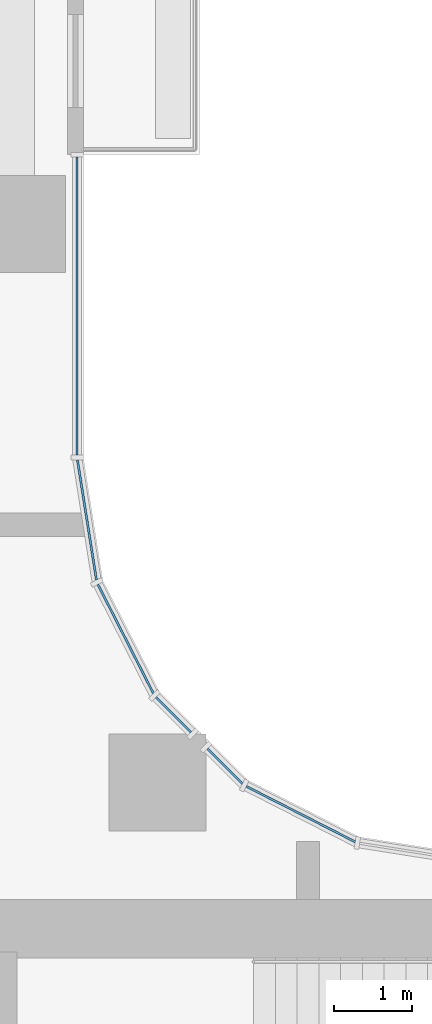
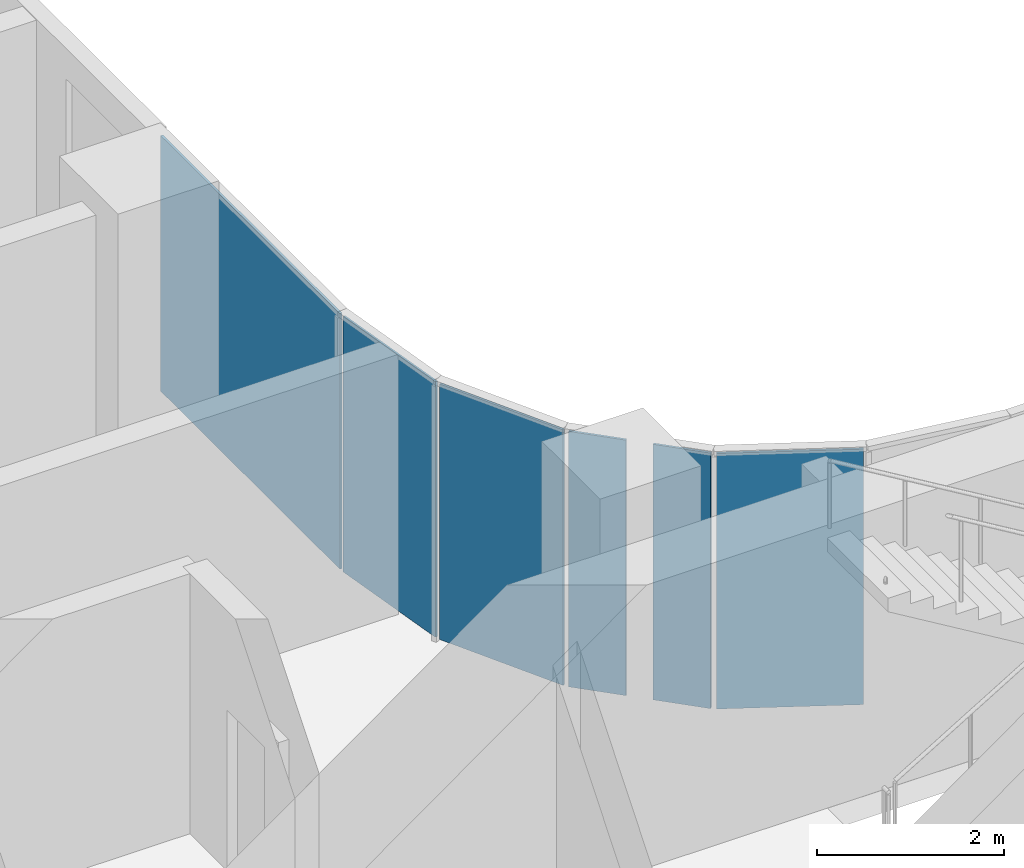
# One storey, part 12 of 35: 6 plates, 3 elements without a shape of their own.
"""IFC4 building model written with IfcOpenShell, lengths in metres."""

import ifcopenshell
import ifcopenshell.guid

model = None  # the IFC model being written
_history = None  # IfcOwnerHistory: only IFC2X3 demands one
_inside = {}  # id of a spatial element -> (the spatial element, [elements in it])
_under = {}  # id of a project, library or spatial element -> (it, [spatial elements below it])
_declared = {}  # id of a project -> (the project, [libraries it declares])
_typed = {}  # id of a type object -> (the type object, [elements of that type])
_made_of = {}  # id of a material, layer set ... -> (it, [elements and type objects made of it])


def new_model(schema):
    """Start an empty IFC model of exactly this schema.

    Asked for "IFC4X3", IfcOpenShell would pick the latest addendum, in which some entities
    have other attributes; the version numbers below select the first issue.
    IFC2X3 requires an IfcOwnerHistory on every rooted entity: one is made here for all.
    """
    global model, _history
    if schema == "IFC4X3":
        model = ifcopenshell.file(schema_version=(4, 3, 0, 0))
    else:
        model = ifcopenshell.file(schema=schema)
    _inside.clear()
    _under.clear()
    _declared.clear()
    _typed.clear()
    _made_of.clear()
    _history = None
    if model.schema == "IFC2X3":
        org = make("IfcOrganization", Name="unknown")
        user = make(
            "IfcPersonAndOrganization",
            ThePerson=make("IfcPerson", FamilyName="unknown"),
            TheOrganization=org,
        )
        app = make(
            "IfcApplication",
            ApplicationDeveloper=org,
            Version="unknown",
            ApplicationFullName="unknown",
            ApplicationIdentifier="unknown",
        )
        _history = make(
            "IfcOwnerHistory",
            OwningUser=user,
            OwningApplication=app,
            ChangeAction="ADDED",
            CreationDate=0,
        )
    return model


def make(cls, **values):
    """One entity of the class cls with the attributes given. An attribute that is None is left unset."""
    return model.create_entity(
        cls, **{name: value for name, value in values.items() if value is not None}
    )


def rooted(cls, **values):
    """An entity with a GlobalId (a new one), such as an element, a storey or a relation."""
    return make(cls, GlobalId=ifcopenshell.guid.new(), OwnerHistory=_history, **values)


def si_unit(unit_type, name, prefix=None):
    """IfcSIUnit, for example si_unit("LENGTHUNIT", "METRE", prefix="MILLI")."""
    return make("IfcSIUnit", UnitType=unit_type, Prefix=prefix, Name=name)


def assignment(units):
    """IfcUnitAssignment: the units of a project."""
    return None if units is None else make("IfcUnitAssignment", Units=units)


def point(xyz):
    """IfcCartesianPoint."""
    return None if xyz is None else make("IfcCartesianPoint", Coordinates=xyz)


def direction(xyz):
    """IfcDirection."""
    return None if xyz is None else make("IfcDirection", DirectionRatios=xyz)


def frame(location, z_axis=None, x_axis=None):
    """IfcAxis2Placement3D, a coordinate frame: its origin and axes. An axis left out is left unset."""
    return make(
        "IfcAxis2Placement3D",
        Location=point(location),
        Axis=direction(z_axis),
        RefDirection=direction(x_axis),
    )


def frame_2d(location, x_axis=None):
    """IfcAxis2Placement2D, a coordinate frame in the plane: its origin and x axis."""
    return make(
        "IfcAxis2Placement2D", Location=point(location), RefDirection=direction(x_axis)
    )


def origin():
    """The frame at (0, 0, 0) with its axes left unset."""
    return frame((0.0, 0.0, 0.0))


def origin_2d():
    """The frame at (0, 0) in the plane with its x axis left unset."""
    return frame_2d((0.0, 0.0))


def place(relative_to, where):
    """IfcLocalPlacement: puts the frame where relative to a parent placement (None: the world)."""
    return make(
        "IfcLocalPlacement", PlacementRelTo=relative_to, RelativePlacement=where
    )


def context(
    kind, dimensions, precision=None, world=None, true_north=None, identifier=None
):
    """IfcGeometricRepresentationContext, for example the 3D "Model" context."""
    return make(
        "IfcGeometricRepresentationContext",
        ContextIdentifier=identifier,
        ContextType=kind,
        CoordinateSpaceDimension=dimensions,
        Precision=precision,
        WorldCoordinateSystem=world,
        TrueNorth=true_north,
    )


def subcontext(parent, identifier, kind, view, scale=None):
    """IfcGeometricRepresentationSubContext, for example "Body" below "Model"."""
    return make(
        "IfcGeometricRepresentationSubContext",
        ContextIdentifier=identifier,
        ContextType=kind,
        ParentContext=parent,
        TargetScale=scale,
        TargetView=view,
    )


def project(units=None, contexts=None):
    """IfcProject with its units and contexts."""
    return rooted(
        "IfcProject",
        Name="project",
        RepresentationContexts=contexts,
        UnitsInContext=assignment(units),
    )


def spatial(cls, under=None, at=None, **own):
    """A site, building, storey or space (cls), placed at a placement, below another one or the project."""
    s = rooted(cls, ObjectPlacement=at, **own)
    if under is not None:
        _under.setdefault(under.id(), (under, []))[1].append(s)
    return s


def profile(cls, at=None, kind="AREA", **sizes):
    """A parametric profile (cls). Its sizes go by their IFC names, for example OverallWidth=200.0."""
    return make(cls, ProfileType=kind, Position=at, **sizes)


def rectangle(**sizes):
    """IfcRectangleProfileDef."""
    return profile("IfcRectangleProfileDef", **sizes)


def extrude(swept, where, along, depth):
    """IfcExtrudedAreaSolid: the profile swept, set in the frame where, extruded along a direction by depth."""
    return make(
        "IfcExtrudedAreaSolid",
        SweptArea=swept,
        Position=where,
        ExtrudedDirection=direction(along),
        Depth=depth,
    )


def shape(context_of_items, identifier, shape_type, items):
    """IfcShapeRepresentation: the items that make up one representation, for example the "Body"."""
    return make(
        "IfcShapeRepresentation",
        ContextOfItems=context_of_items,
        RepresentationIdentifier=identifier,
        RepresentationType=shape_type,
        Items=items,
    )


def material(Name=None, Category=None):
    """IfcMaterial."""
    return make("IfcMaterial", Name=Name, Category=Category)


def layer(
    of_material, thickness, ventilated=None, Name=None, Category=None, Priority=None
):
    """IfcMaterialLayer: one layer of a wall or slab, of a material (None: an air gap)."""
    return make(
        "IfcMaterialLayer",
        Material=of_material,
        LayerThickness=thickness,
        IsVentilated=ventilated,
        Name=Name,
        Category=Category,
        Priority=Priority,
    )


def layer_set(layers, Name=None):
    """IfcMaterialLayerSet."""
    return make("IfcMaterialLayerSet", MaterialLayers=layers, LayerSetName=Name)


def made_of(thing, what):
    """Note that an element or type object is made of a material, layer set ...; save() writes the relation."""
    if what is not None:
        _made_of.setdefault(what.id(), (what, []))[1].append(thing)
    return thing


def type_object(cls, material=None, **own):
    """A type object (cls), such as IfcWallType, which elements share."""
    return made_of(rooted(cls, **own), material)


def element(
    cls,
    number,
    at=None,
    inside=None,
    cuts=None,
    type_object=None,
    material=None,
    context=None,
    identifier="Body",
    shape_type=None,
    held_by="IfcProductDefinitionShape",
    body=None,
    shapes=None,
    **own,
):
    """One element of the class cls, such as IfcWall. Its Tag is "e" and its number.

    at: its placement. inside: the storey or other place that contains it. cuts: it is an
    opening in that element (IfcRelVoidsElement). A single representation is given by context,
    identifier, shape_type and body (its items); several are given by shapes. held_by: the class
    of the entity that holds the representations. save() writes the other relations.
    """
    e = rooted(cls, Tag="e%d" % number, ObjectPlacement=at, **own)
    if body is not None:
        shapes = [shape(context, identifier, shape_type, body)]
    if shapes is not None:
        e.Representation = make(held_by, Representations=shapes)
    if inside is not None:
        _inside.setdefault(inside.id(), (inside, []))[1].append(e)
    if cuts is not None:
        rooted(
            "IfcRelVoidsElement", RelatingBuildingElement=cuts, RelatedOpeningElement=e
        )
    if type_object is not None:
        _typed.setdefault(type_object.id(), (type_object, []))[1].append(e)
    return made_of(e, material)


def aggregate(whole, parts):
    """IfcRelAggregates: a whole, such as a stair, and the parts it consists of."""
    return rooted("IfcRelAggregates", RelatingObject=whole, RelatedObjects=parts)


def save(model, path):
    """Write the relations noted so far, then the file.

    IfcRelAggregates (storeys below a building ...), IfcRelContainedInSpatialStructure (elements
    in a storey), IfcRelDefinesByType, IfcRelAssociatesMaterial and IfcRelDeclares: one each for
    every whole, place, type object, material and project.
    """
    for whole, parts in _under.values():
        aggregate(whole, parts)
    for where, things in _inside.values():
        rooted(
            "IfcRelContainedInSpatialStructure",
            RelatedElements=things,
            RelatingStructure=where,
        )
    for kind, things in _typed.values():
        rooted("IfcRelDefinesByType", RelatedObjects=things, RelatingType=kind)
    for what, things in _made_of.values():
        rooted("IfcRelAssociatesMaterial", RelatedObjects=things, RelatingMaterial=what)
    for by, libraries in _declared.values():
        rooted("IfcRelDeclares", RelatingContext=by, RelatedDefinitions=libraries)
    model.write(path)


model = new_model("IFC4")

# Units and contexts
model_context = context("Model", 3, precision=1e-05, world=origin(), true_north=direction((0.0, 1.0)))
body_context = subcontext(model_context, "Body", "Model", "MODEL_VIEW")
ifc_project = project(units=[si_unit("LENGTHUNIT", "METRE"), si_unit("AREAUNIT", "SQUARE_METRE"), si_unit("VOLUMEUNIT", "CUBIC_METRE"), si_unit("PLANEANGLEUNIT", "RADIAN"), si_unit("MASSUNIT", "GRAM", prefix="KILO")], contexts=[model_context])

# Site, building, storey
site_placement = place(None, origin())
site = spatial("IfcSite", under=ifc_project, at=site_placement, CompositionType="ELEMENT")
building_placement = place(site_placement, origin())
building = spatial("IfcBuilding", under=site, at=building_placement, Name="Ogive Portal Towers", CompositionType="ELEMENT")
storey_placement = place(building_placement, frame((0.0, 0.0, 90.800048828125)))
storey = spatial("IfcBuildingStorey", under=building, at=storey_placement, Name="L21", CompositionType="ELEMENT", Elevation=90.800048828125)

# Curtain wall, plate
ifc_material = material(Name="Glass, clear low-iron insulated glazing", Category="glass")
curtain_wall_type = type_object("IfcCurtainWallType", Name="CW FRONT RIBBON 4500", PredefinedType="NOTDEFINED", material=ifc_material)
curtain_wall_1_placement = place(storey_placement, origin())
curtain_wall_1 = element("IfcCurtainWall", 1, at=curtain_wall_1_placement, inside=storey, type_object=curtain_wall_type, Name="A:L21:f17:cw0", PredefinedType="NOTDEFINED")
ifc_layer = layer(ifc_material, 0.028076171875)
ifc_layer_set = layer_set([ifc_layer], Name="CW PANEL IGU 28")
plate_type = type_object("IfcPlateType", Name="CW PANEL IGU 28", PredefinedType="CURTAIN_PANEL", material=ifc_layer_set)
plate_1_placement = place(storey_placement, frame((50.27490234375, 47.443115234375, 0.0), z_axis=(0.0, 0.0, 1.0), x_axis=(0.0, 1.0, 0.0)))
plate_1 = element("IfcPlate", 2, at=plate_1_placement, type_object=plate_type, Name="panel", PredefinedType="CURTAIN_PANEL", context=body_context, shape_type="SweptSolid", body=[
    extrude(rectangle(XDim=3.839111328125, YDim=0.028076171875, at=origin_2d()), origin(), (0.0, 0.0, 1.0), 3.340087890625),
])
aggregate(curtain_wall_1, [plate_1])

# Curtain wall, plates
curtain_wall_2_placement = place(storey_placement, origin())
curtain_wall_2 = element("IfcCurtainWall", 3, at=curtain_wall_2_placement, inside=storey, type_object=curtain_wall_type, Name="A:L21:f12:cwa~0", PredefinedType="NOTDEFINED")
plate_2_placement = place(storey_placement, frame((53.15673828125, 40.90087890625, 0.0), z_axis=(0.0, 0.0, 1.0), x_axis=(-0.891006524188, 0.45399049974, 0.0)))
plate_2 = element("IfcPlate", 4, at=plate_2_placement, type_object=plate_type, Name="panel", PredefinedType="CURTAIN_PANEL", context=body_context, shape_type="SweptSolid", body=[
    extrude(rectangle(XDim=1.574951171875, YDim=0.028076171875, at=origin_2d()), origin(), (0.0, 0.0, 1.0), 3.340087890625),
])
plate_3_placement = place(storey_placement, frame((52.181640625, 41.518798828125, 0.0), z_axis=(0.0, 0.0, 1.0), x_axis=(-0.707106781187, 0.707106781187, 0.0)))
plate_3 = element("IfcPlate", 5, at=plate_3_placement, type_object=plate_type, Name="panel", PredefinedType="CURTAIN_PANEL", context=body_context, shape_type="SweptSolid", body=[
    extrude(rectangle(XDim=0.637451171875, YDim=0.028076171875, at=origin_2d()), origin(), (0.0, 0.0, 1.0), 3.340087890625),
])
aggregate(curtain_wall_2, [plate_2, plate_3])

curtain_wall_3_placement = place(storey_placement, origin())
curtain_wall_3 = element("IfcCurtainWall", 6, at=curtain_wall_3_placement, inside=storey, type_object=curtain_wall_type, Name="A:L21:f12:cwa~1", PredefinedType="NOTDEFINED")
plate_4_placement = place(storey_placement, frame((51.518798828125, 42.181640625, 0.0), z_axis=(0.0, 0.0, 1.0), x_axis=(-0.707106781187, 0.707106781187, 0.0)))
plate_4 = element("IfcPlate", 7, at=plate_4_placement, type_object=plate_type, Name="panel", PredefinedType="CURTAIN_PANEL", context=body_context, shape_type="SweptSolid", body=[
    extrude(rectangle(XDim=0.637451171875, YDim=0.028076171875, at=origin_2d()), origin(), (0.0, 0.0, 1.0), 3.340087890625),
])
plate_5_placement = place(storey_placement, frame((50.90087890625, 43.15673828125, 0.0), z_axis=(0.0, 0.0, 1.0), x_axis=(-0.45399049974, 0.891006524188, 0.0)))
plate_5 = element("IfcPlate", 8, at=plate_5_placement, type_object=plate_type, Name="panel", PredefinedType="CURTAIN_PANEL", context=body_context, shape_type="SweptSolid", body=[
    extrude(rectangle(XDim=1.574951171875, YDim=0.028076171875, at=origin_2d()), origin(), (0.0, 0.0, 1.0), 3.340087890625),
])
plate_6_placement = place(storey_placement, frame((50.40234375, 44.689453125, 0.0), z_axis=(0.0, 0.0, 1.0), x_axis=(-0.15643446504, 0.987688340595, 0.0)))
plate_6 = element("IfcPlate", 9, at=plate_6_placement, type_object=plate_type, Name="panel", PredefinedType="CURTAIN_PANEL", context=body_context, shape_type="SweptSolid", body=[
    extrude(rectangle(XDim=1.568603515625, YDim=0.028076171875, at=origin_2d()), origin(), (0.0, 0.0, 1.0), 3.340087890625),
])
aggregate(curtain_wall_3, [plate_4, plate_5, plate_6])

save(model, "model.ifc")
